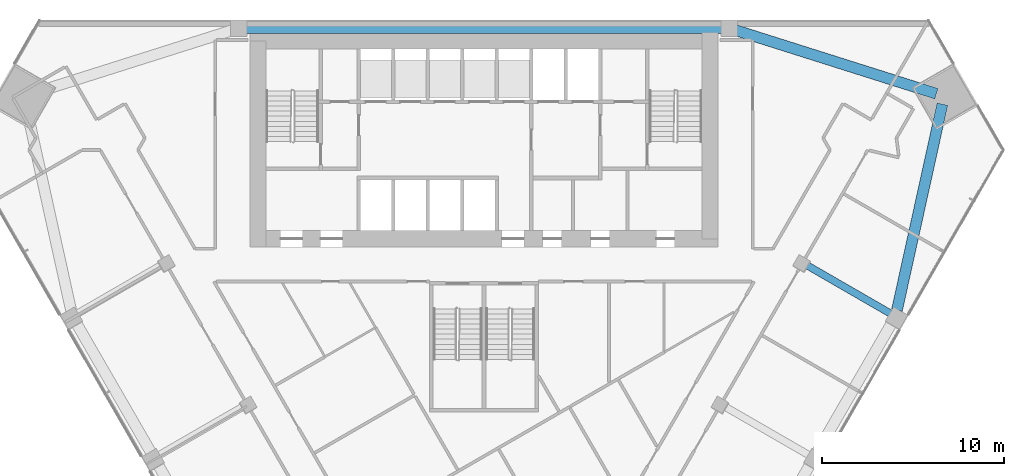
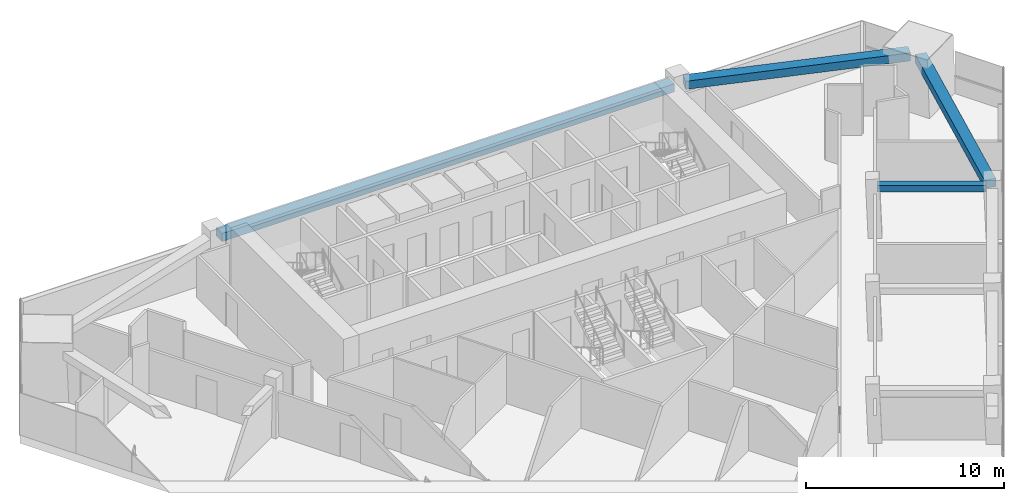
# One storey, part 6 of 14: 4 beams.
"""IFC4 building model written with IfcOpenShell, lengths in metres."""

from ifc_helpers import new_model, si_unit, direction, frame, origin, origin_2d, place, context, subcontext, project, spatial, rectangle, extrude, material, material_profile, profile_set, type_object, element, save


model = new_model("IFC4")

# Units and contexts
model_context = context("Model", 3, precision=1e-05, world=origin(), true_north=direction((0.0, 1.0)))
body_context = subcontext(model_context, "Body", "Model", "MODEL_VIEW")
ifc_project = project(units=[si_unit("LENGTHUNIT", "METRE"), si_unit("AREAUNIT", "SQUARE_METRE"), si_unit("VOLUMEUNIT", "CUBIC_METRE"), si_unit("PLANEANGLEUNIT", "RADIAN"), si_unit("MASSUNIT", "GRAM", prefix="KILO")], contexts=[model_context])

# Site, building, storey
site_placement = place(None, origin())
site = spatial("IfcSite", under=ifc_project, at=site_placement, CompositionType="ELEMENT")
building_placement = place(site_placement, origin())
building = spatial("IfcBuilding", under=site, at=building_placement, Name="Altiplano Prism Tower", CompositionType="ELEMENT")
storey_placement = place(building_placement, frame((0.0, 0.0, 108.0)))
storey = spatial("IfcBuildingStorey", under=building, at=storey_placement, Name="L27", CompositionType="ELEMENT", Elevation=108.0)

# Beams
ifc_material = material(Name="Concrete C60/75", Category="concrete")
ifc_material_profile_1 = material_profile(ifc_material, rectangle(XDim=0.60009765625, YDim=0.5, at=origin_2d()), Name="Edge beam 600x500")
ifc_profile_set_1 = profile_set([ifc_material_profile_1], Name="Concrete C60/75")
beam_type_1 = type_object("IfcBeamType", Name="Edge beam 600x500", PredefinedType="SPANDREL", material=ifc_profile_set_1)
for number, where, z_axis, x_axis, name in (
    (1, (107.742919921875, 89.015869140625, 2.85009765625), (0.215506583123, 0.976502387417, 0.0), (-0.976502387417, 0.215506583123, 0.0), "Edge beam P24-M2 L28"),
    (2, (109.915283203125, 100.938720703125, 2.85009765625), (-0.953426637423, 0.301625010654, 0.0), (-0.301625010654, -0.953426637423, 0.0), "Edge beam M2-P01 L28"),
):
    element("IfcBeam", number, at=place(storey_placement, frame(where, z_axis=z_axis, x_axis=x_axis)), inside=storey, type_object=beam_type_1, Name=name, PredefinedType="SPANDREL", context=body_context, shape_type="SweptSolid", body=[
        extrude(rectangle(XDim=0.60009765625, YDim=0.5, at=origin_2d()), origin(), (0.0, 0.0, 1.0), 11.620849609375),
    ])
beam_1_placement = place(storey_placement, frame((98.169921875, 104.550048828125, 2.85009765625), z_axis=(-1.0, 0.0, 0.0), x_axis=(0.0, -1.0, 0.0)))
element("IfcBeam", 3, at=beam_1_placement, inside=storey, type_object=beam_type_1, Name="Edge beam P01-P04 L28", PredefinedType="SPANDREL", context=body_context, shape_type="SweptSolid", body=[
    extrude(rectangle(XDim=0.60009765625, YDim=0.5, at=origin_2d()), origin(), (0.0, 0.0, 1.0), 26.33984375),
])
ifc_material_profile_2 = material_profile(ifc_material, rectangle(XDim=0.39990234375, YDim=0.39990234375, at=origin_2d()), Name="Tie beam 400x400")
ifc_profile_set_2 = profile_set([ifc_material_profile_2], Name="Concrete C60/75")
beam_type_2 = type_object("IfcBeamType", Name="Tie beam 400x400", PredefinedType="BEAM", material=ifc_profile_set_2)
beam_2_placement = place(storey_placement, frame((102.626708984375, 91.582275390625, 2.89990234375), z_axis=(0.866023410697, -0.500003452112, 0.0), x_axis=(0.500003452112, 0.866023410697, 0.0)))
element("IfcBeam", 4, at=beam_2_placement, inside=storey, type_object=beam_type_2, Name="Tie beam I24 L28", PredefinedType="BEAM", context=body_context, shape_type="SweptSolid", body=[
    extrude(rectangle(XDim=0.39990234375, YDim=0.39990234375, at=origin_2d()), origin(), (0.0, 0.0, 1.0), 5.490234375),
])

save(model, "model.ifc")
